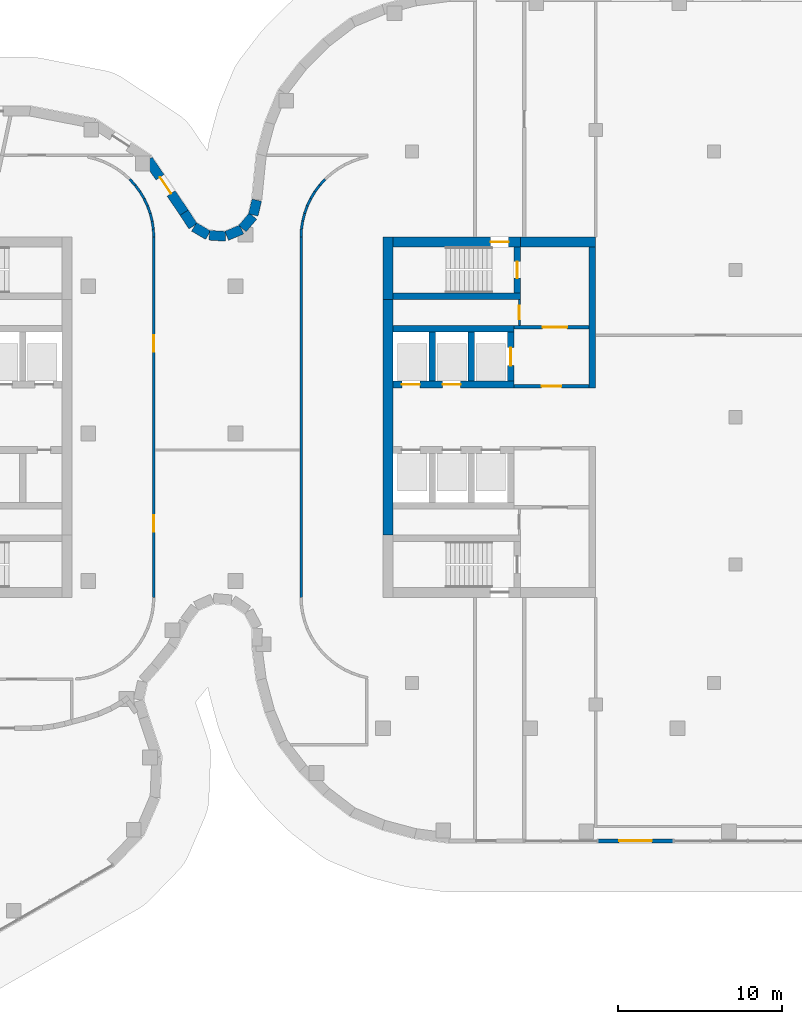
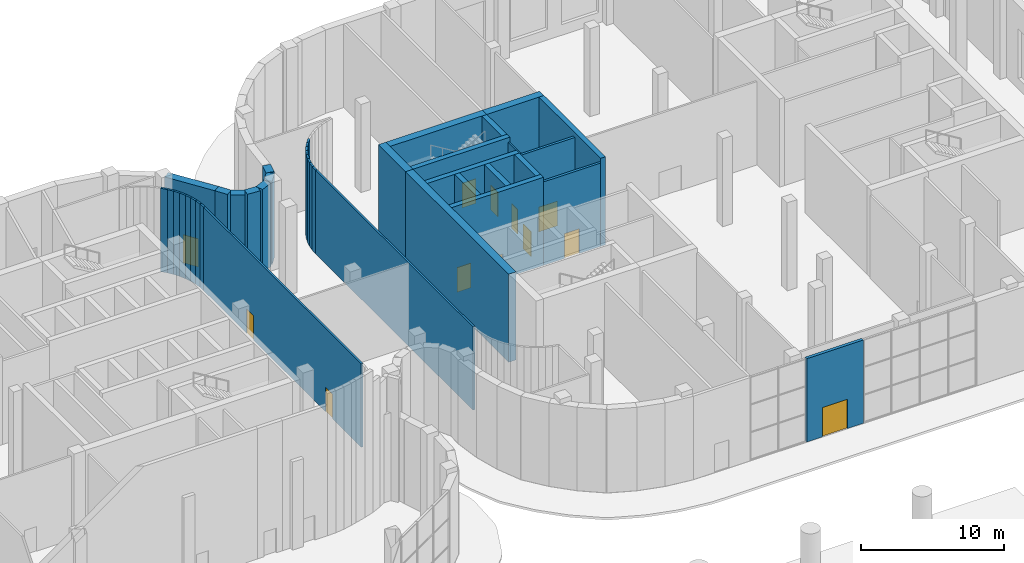
# One storey, part 20 of 30: 41 walls, 12 doors, 12 openings.
"""IFC4 building model written with IfcOpenShell, lengths in metres."""

from ifc_helpers import new_model, si_unit, direction, frame, frame_2d, origin, place, context, subcontext, project, spatial, rectangle, extrude, material, layer, layer_set, type_object, element, fill, save


model = new_model("IFC4")

# Units and contexts
model_context = context("Model", 3, precision=1e-05, world=origin(), true_north=direction((0.0, 1.0)))
body_context = subcontext(model_context, "Body", "Model", "MODEL_VIEW")
ifc_project = project(units=[si_unit("LENGTHUNIT", "METRE"), si_unit("AREAUNIT", "SQUARE_METRE"), si_unit("VOLUMEUNIT", "CUBIC_METRE"), si_unit("PLANEANGLEUNIT", "RADIAN"), si_unit("MASSUNIT", "GRAM", prefix="KILO")], contexts=[model_context])

# Site, building, storey
site_placement = place(None, origin())
site = spatial("IfcSite", under=ifc_project, at=site_placement, CompositionType="ELEMENT")
building_placement = place(site_placement, origin())
building = spatial("IfcBuilding", under=site, at=building_placement, Name="Skarvind Civic Tower", CompositionType="ELEMENT")
storey_placement = place(building_placement, origin())
storey = spatial("IfcBuildingStorey", under=building, at=storey_placement, Name="L00", CompositionType="ELEMENT", Elevation=0.0)

# Wall, opening, door
ifc_material_1 = material(Name="Fire-rated masonry partition", Category="masonry")
ifc_layer_1 = layer(ifc_material_1, 0.199951171875)
ifc_layer_set_1 = layer_set([ifc_layer_1], Name="Core enclosure wall 200")
wall_type_1 = type_object("IfcWallType", Name="Core enclosure wall 200", PredefinedType="PARTITIONING", material=ifc_layer_set_1)
wall_1_placement = place(storey_placement, frame((135.0, 129.89990234375, 0.0), z_axis=(0.0, 0.0, 1.0), x_axis=(1.0, 0.0, 0.0)))
wall_1 = element("IfcWall", 1, at=wall_1_placement, inside=storey, type_object=wall_type_1, Name="Core wall CA", PredefinedType="PARTITIONING", context=body_context, shape_type="SweptSolid", body=[
    extrude(rectangle(XDim=4.60009765625, YDim=0.199951171875, at=frame_2d((2.300048828125, 0.0))), origin(), (0.0, 0.0, 1.0), 7.10009765625),
])
opening_1_placement = place(wall_1_placement, frame((1.699951171875, 0.0, 0.0)))
opening_1 = element("IfcOpeningElement", 2, at=opening_1_placement, cuts=wall_1, Name="Opening D-L00-CA-06", PredefinedType="OPENING", context=body_context, shape_type="SweptSolid", body=[
    extrude(rectangle(XDim=1.199951171875, YDim=2.10009765625, at=frame_2d((0.60009765625, 1.050048828125))), frame((0.0, 0.10986328125, 0.0), z_axis=(0.0, -1.0, 0.0), x_axis=(1.0, 0.0, 0.0)), (0.0, 0.0, 1.0), 0.219970703125),
])
ifc_material_2 = material(Name="Fire-rated steel door", Category="steel")
door_type_1 = type_object("IfcDoorType", Name="Core lobby door 1200", OperationType="NOTDEFINED", PredefinedType="DOOR", material=ifc_material_2)
door_1_placement = place(opening_1_placement, origin())
door_1 = element("IfcDoor", 3, at=door_1_placement, inside=storey, type_object=door_type_1, Name="Fire door", OperationType="DOUBLE_DOOR_SINGLE_SWING", OverallHeight=2.10009765625, OverallWidth=1.199951171875, PredefinedType="DOOR", context=body_context, shape_type="SweptSolid", body=[
    extrude(rectangle(XDim=1.199951171875, YDim=2.10009765625, at=frame_2d((0.60009765625, 1.050048828125))), frame((0.0, 0.02490234375, 0.0), z_axis=(0.0, -1.0, 0.0), x_axis=(1.0, 0.0, 0.0)), (0.0, 0.0, 1.0), 0.050048828125),
])
fill(opening_1, door_1)

wall_2_placement = place(storey_placement, frame((135.0, 133.5, 0.0), z_axis=(0.0, 0.0, 1.0), x_axis=(1.0, 0.0, 0.0)))
wall_2 = element("IfcWall", 4, at=wall_2_placement, inside=storey, type_object=wall_type_1, Name="Core wall CA", PredefinedType="PARTITIONING", context=body_context, shape_type="SweptSolid", body=[
    extrude(rectangle(XDim=4.60009765625, YDim=0.199951171875, at=frame_2d((2.300048828125, 0.0))), origin(), (0.0, 0.0, 1.0), 7.10009765625),
])
opening_2_placement = place(wall_2_placement, frame((1.75, 0.0, 0.0)))
opening_2 = element("IfcOpeningElement", 5, at=opening_2_placement, cuts=wall_2, Name="Opening D-L00-CA-07", PredefinedType="OPENING", context=body_context, shape_type="SweptSolid", body=[
    extrude(rectangle(XDim=1.5, YDim=2.10009765625, at=frame_2d((0.75, 1.050048828125))), frame((0.0, 0.10986328125, 0.0), z_axis=(0.0, -1.0, 0.0), x_axis=(1.0, 0.0, 0.0)), (0.0, 0.0, 1.0), 0.219970703125),
])
door_type_2 = type_object("IfcDoorType", Name="Fire door 1500", OperationType="NOTDEFINED", PredefinedType="DOOR", material=ifc_material_2)
door_2_placement = place(opening_2_placement, origin())
door_2 = element("IfcDoor", 6, at=door_2_placement, inside=storey, type_object=door_type_2, Name="Fire door", OperationType="DOUBLE_DOOR_SINGLE_SWING", OverallHeight=2.10009765625, OverallWidth=1.5, PredefinedType="DOOR", context=body_context, shape_type="SweptSolid", body=[
    extrude(rectangle(XDim=1.5, YDim=2.10009765625, at=frame_2d((0.75, 1.050048828125))), frame((0.0, 0.02490234375, 0.0), z_axis=(0.0, -1.0, 0.0), x_axis=(1.0, 0.0, 0.0)), (0.0, 0.0, 1.0), 0.050048828125),
])
fill(opening_2, door_2)

# Wall
ifc_material_3 = material(Name="Concrete C80", Category="concrete")
ifc_layer_2 = layer(ifc_material_3, 0.39990234375)
ifc_layer_set_2 = layer_set([ifc_layer_2], Name="Core wall 400 C80")
wall_type_2 = type_object("IfcWallType", Name="Core wall 400 C80", PredefinedType="SHEAR", material=ifc_layer_set_2)
wall_3_placement = place(storey_placement, frame((127.60009765625, 135.39990234375, 0.0), z_axis=(0.0, 0.0, 1.0), x_axis=(1.0, 0.0, 0.0)))
element("IfcWall", 7, at=wall_3_placement, inside=storey, type_object=wall_type_2, Name="Core wall CA north stair inner L00", PredefinedType="SHEAR", context=body_context, shape_type="SweptSolid", body=[
    extrude(rectangle(XDim=7.7998046875, YDim=0.39990234375, at=frame_2d((3.89990234375, 0.0))), origin(), (0.0, 0.0, 1.0), 7.5),
])

# Wall, opening, door
wall_4_placement = place(storey_placement, frame((135.199951171875, 135.60009765625, 0.0), z_axis=(0.0, 0.0, 1.0), x_axis=(0.0, 1.0, 0.0)))
wall_4 = element("IfcWall", 8, at=wall_4_placement, inside=storey, type_object=wall_type_2, Name="Core wall CA north stair end L00", PredefinedType="SHEAR", context=body_context, shape_type="SweptSolid", body=[
    extrude(rectangle(XDim=2.7998046875, YDim=0.39990234375, at=frame_2d((1.39990234375, 0.0))), origin(), (0.0, 0.0, 1.0), 7.5),
])
opening_3_placement = place(wall_4_placement, frame((0.89990234375, 0.0, 0.0)))
opening_3 = element("IfcOpeningElement", 9, at=opening_3_placement, cuts=wall_4, Name="Opening D-L00-CA-08", PredefinedType="OPENING", context=body_context, shape_type="SweptSolid", body=[
    extrude(rectangle(XDim=1.0, YDim=2.10009765625, at=frame_2d((0.5, 1.050048828125))), frame((0.0, 0.2099609375, 0.0), z_axis=(0.0, -1.0, 0.0), x_axis=(1.0, 0.0, 0.0)), (0.0, 0.0, 1.0), 0.419921875),
])
door_type_3 = type_object("IfcDoorType", Name="Fire door 1000", OperationType="NOTDEFINED", PredefinedType="DOOR", material=ifc_material_2)
door_3_placement = place(opening_3_placement, origin())
door_3 = element("IfcDoor", 10, at=door_3_placement, inside=storey, type_object=door_type_3, Name="Fire door", OperationType="SINGLE_SWING_LEFT", OverallHeight=2.10009765625, OverallWidth=1.0, PredefinedType="DOOR", context=body_context, shape_type="SweptSolid", body=[
    extrude(rectangle(XDim=1.0, YDim=2.10009765625, at=frame_2d((0.5, 1.050048828125))), frame((0.0, 0.02490234375, 0.0), z_axis=(0.0, -1.0, 0.0), x_axis=(1.0, 0.0, 0.0)), (0.0, 0.0, 1.0), 0.050048828125),
])
fill(opening_3, door_3)

# Wall, openings, doors
wall_5_placement = place(storey_placement, frame((127.60009765625, 130.0, 0.0), z_axis=(0.0, 0.0, 1.0), x_axis=(1.0, 0.0, 0.0)))
wall_5 = element("IfcWall", 11, at=wall_5_placement, inside=storey, type_object=wall_type_2, Name="Core wall CA north lift row front L00", PredefinedType="SHEAR", context=body_context, shape_type="SweptSolid", body=[
    extrude(rectangle(XDim=7.39990234375, YDim=0.39990234375, at=frame_2d((3.699951171875, 0.0))), origin(), (0.0, 0.0, 1.0), 7.5),
])
opening_4_placement = place(wall_5_placement, frame((0.550048828125, 0.0, 0.0)))
opening_4 = element("IfcOpeningElement", 12, at=opening_4_placement, cuts=wall_5, Name="Opening LD02301", PredefinedType="OPENING", context=body_context, shape_type="SweptSolid", body=[
    extrude(rectangle(XDim=1.10009765625, YDim=2.10009765625, at=frame_2d((0.550048828125, 1.050048828125))), frame((0.0, 0.2099609375, 0.0), z_axis=(0.0, -1.0, 0.0), x_axis=(1.0, 0.0, 0.0)), (0.0, 0.0, 1.0), 0.419921875),
])
opening_5_placement = place(wall_5_placement, frame((3.050048828125, 0.0, 0.0)))
opening_5 = element("IfcOpeningElement", 13, at=opening_5_placement, cuts=wall_5, Name="Opening LD02302", PredefinedType="OPENING", context=body_context, shape_type="SweptSolid", body=[
    extrude(rectangle(XDim=1.10009765625, YDim=2.10009765625, at=frame_2d((0.550048828125, 1.050048828125))), frame((0.0, 0.2099609375, 0.0), z_axis=(0.0, -1.0, 0.0), x_axis=(1.0, 0.0, 0.0)), (0.0, 0.0, 1.0), 0.419921875),
])
ifc_material_4 = material(Name="Stainless steel landing door", Category="steel")
door_type_4 = type_object("IfcDoorType", Name="Lift landing door 1100", OperationType="DOUBLE_DOOR_SLIDING", PredefinedType="DOOR", material=ifc_material_4)
door_4_placement = place(opening_4_placement, origin())
door_4 = element("IfcDoor", 14, at=door_4_placement, inside=storey, type_object=door_type_4, Name="Lift landing door", OperationType="DOUBLE_DOOR_SLIDING", OverallHeight=2.10009765625, OverallWidth=1.10009765625, PredefinedType="DOOR", context=body_context, shape_type="SweptSolid", body=[
    extrude(rectangle(XDim=1.10009765625, YDim=2.10009765625, at=frame_2d((0.550048828125, 1.050048828125))), frame((0.0, 0.02490234375, 0.0), z_axis=(0.0, -1.0, 0.0), x_axis=(1.0, 0.0, 0.0)), (0.0, 0.0, 1.0), 0.050048828125),
])
fill(opening_4, door_4)
door_5_placement = place(opening_5_placement, origin())
door_5 = element("IfcDoor", 15, at=door_5_placement, inside=storey, type_object=door_type_4, Name="Lift landing door", OperationType="DOUBLE_DOOR_SLIDING", OverallHeight=2.10009765625, OverallWidth=1.10009765625, PredefinedType="DOOR", context=body_context, shape_type="SweptSolid", body=[
    extrude(rectangle(XDim=1.10009765625, YDim=2.10009765625, at=frame_2d((0.550048828125, 1.050048828125))), frame((0.0, 0.02490234375, 0.0), z_axis=(0.0, -1.0, 0.0), x_axis=(1.0, 0.0, 0.0)), (0.0, 0.0, 1.0), 0.050048828125),
])
fill(opening_5, door_5)

# Walls
wall_6_placement = place(storey_placement, frame((127.60009765625, 133.39990234375, 0.0), z_axis=(0.0, 0.0, 1.0), x_axis=(1.0, 0.0, 0.0)))
element("IfcWall", 16, at=wall_6_placement, inside=storey, type_object=wall_type_2, Name="Core wall CA north lift row back L00", PredefinedType="SHEAR", context=body_context, shape_type="SweptSolid", body=[
    extrude(rectangle(XDim=7.39990234375, YDim=0.39990234375, at=frame_2d((3.699951171875, 0.0))), origin(), (0.0, 0.0, 1.0), 7.5),
])
for number, where, z_axis, x_axis, name in (
    (17, (130.0, 130.199951171875, 0.0), (0.0, 0.0, 1.0), (0.0, 1.0, 0.0), "Core wall CA north lift row division 1 L00"),
    (18, (132.39990234375, 130.199951171875, 0.0), (0.0, 0.0, 1.0), (0.0, 1.0, 0.0), "Core wall CA north lift row division 2 L00"),
):
    element("IfcWall", number, at=place(storey_placement, frame(where, z_axis=z_axis, x_axis=x_axis)), inside=storey, type_object=wall_type_2, Name=name, PredefinedType="SHEAR", context=body_context, shape_type="SweptSolid", body=[
        extrude(rectangle(XDim=3.0, YDim=0.39990234375, at=frame_2d((1.5, 0.0))), origin(), (0.0, 0.0, 1.0), 7.5),
    ])

# Wall, opening, door
wall_7_placement = place(storey_placement, frame((134.800048828125, 130.199951171875, 0.0), z_axis=(0.0, 0.0, 1.0), x_axis=(0.0, 1.0, 0.0)))
wall_7 = element("IfcWall", 19, at=wall_7_placement, inside=storey, type_object=wall_type_2, Name="Core wall CA north lift row division 3 L00", PredefinedType="SHEAR", context=body_context, shape_type="SweptSolid", body=[
    extrude(rectangle(XDim=3.0, YDim=0.39990234375, at=frame_2d((1.5, 0.0))), origin(), (0.0, 0.0, 1.0), 7.5),
])
opening_6_placement = place(wall_7_placement, frame((0.949951171875, 0.0, 0.0)))
opening_6 = element("IfcOpeningElement", 20, at=opening_6_placement, cuts=wall_7, Name="Opening LD02303", PredefinedType="OPENING", context=body_context, shape_type="SweptSolid", body=[
    extrude(rectangle(XDim=1.10009765625, YDim=2.10009765625, at=frame_2d((0.550048828125, 1.050048828125))), frame((0.0, 0.2099609375, 0.0), z_axis=(0.0, -1.0, 0.0), x_axis=(1.0, 0.0, 0.0)), (0.0, 0.0, 1.0), 0.419921875),
])
door_6_placement = place(opening_6_placement, origin())
door_6 = element("IfcDoor", 21, at=door_6_placement, inside=storey, type_object=door_type_4, Name="Lift landing door", OperationType="DOUBLE_DOOR_SLIDING", OverallHeight=2.10009765625, OverallWidth=1.10009765625, PredefinedType="DOOR", context=body_context, shape_type="SweptSolid", body=[
    extrude(rectangle(XDim=1.10009765625, YDim=2.10009765625, at=frame_2d((0.550048828125, 1.050048828125))), frame((0.0, 0.02490234375, 0.0), z_axis=(0.0, -1.0, 0.0), x_axis=(1.0, 0.0, 0.0)), (0.0, 0.0, 1.0), 0.050048828125),
])
fill(opening_6, door_6)

# Walls
wall_8_placement = place(storey_placement, frame((139.800048828125, 129.800048828125, 0.0), z_axis=(0.0, 0.0, 1.0), x_axis=(0.0, 1.0, 0.0)))
element("IfcWall", 22, at=wall_8_placement, inside=storey, type_object=wall_type_2, Name="Core wall CA north inner face L00", PredefinedType="SHEAR", context=body_context, shape_type="SweptSolid", body=[
    extrude(rectangle(XDim=8.599853515625, YDim=0.39990234375, at=frame_2d((4.2998046875, 0.0))), origin(), (0.0, 0.0, 1.0), 7.5),
])
ifc_layer_3 = layer(ifc_material_3, 0.60009765625)
ifc_layer_set_3 = layer_set([ifc_layer_3], Name="Core wall 600 C80")
wall_type_3 = type_object("IfcWallType", Name="Core wall 600 C80", PredefinedType="SHEAR", material=ifc_layer_set_3)
wall_9_placement = place(storey_placement, frame((127.300048828125, 120.800048828125, 0.0), z_axis=(0.0, 0.0, 1.0), x_axis=(0.0, 1.0, 0.0)))
element("IfcWall", 23, at=wall_9_placement, inside=storey, type_object=wall_type_3, Name="Core wall CA tip between the stairs L00", PredefinedType="SHEAR", context=body_context, shape_type="SweptSolid", body=[
    extrude(rectangle(XDim=14.39990234375, YDim=0.60009765625, at=frame_2d((7.199951171875, 0.0))), origin(), (0.0, 0.0, 1.0), 7.5),
])
wall_10_placement = place(storey_placement, frame((127.300048828125, 135.199951171875, 0.0), z_axis=(0.0, 0.0, 1.0), x_axis=(0.0, 1.0, 0.0)))
element("IfcWall", 24, at=wall_10_placement, inside=storey, type_object=wall_type_3, Name="Core wall CA tip at the north stair L00", PredefinedType="SHEAR", context=body_context, shape_type="SweptSolid", body=[
    extrude(rectangle(XDim=3.800048828125, YDim=0.60009765625, at=frame_2d((1.89990234375, 0.0))), origin(), (0.0, 0.0, 1.0), 7.5),
])

# Wall, opening, door
wall_11_placement = place(storey_placement, frame((127.60009765625, 138.699951171875, 0.0), z_axis=(0.0, 0.0, 1.0), x_axis=(1.0, 0.0, 0.0)))
wall_11 = element("IfcWall", 25, at=wall_11_placement, inside=storey, type_object=wall_type_3, Name="Core wall CA north side at the stair L00", PredefinedType="SHEAR", context=body_context, shape_type="SweptSolid", body=[
    extrude(rectangle(XDim=7.7998046875, YDim=0.60009765625, at=frame_2d((3.89990234375, 0.0))), origin(), (0.0, 0.0, 1.0), 7.5),
])
opening_7_placement = place(wall_11_placement, frame((5.97509765625, 0.0, 0.0)))
opening_7 = element("IfcOpeningElement", 26, at=opening_7_placement, cuts=wall_11, Name="Opening D-L00-CA-16", PredefinedType="OPENING", context=body_context, shape_type="SweptSolid", body=[
    extrude(rectangle(XDim=1.10009765625, YDim=2.10009765625, at=frame_2d((0.550048828125, 1.050048828125))), frame((0.0, 0.31005859375, 0.0), z_axis=(0.0, -1.0, 0.0), x_axis=(1.0, 0.0, 0.0)), (0.0, 0.0, 1.0), 0.6201171875),
])
door_type_5 = type_object("IfcDoorType", Name="Fire door 1100", OperationType="NOTDEFINED", PredefinedType="DOOR", material=ifc_material_2)
door_7_placement = place(opening_7_placement, origin())
door_7 = element("IfcDoor", 27, at=door_7_placement, inside=storey, type_object=door_type_5, Name="Stair exit door", OperationType="SINGLE_SWING_LEFT", OverallHeight=2.10009765625, OverallWidth=1.10009765625, PredefinedType="DOOR", context=body_context, shape_type="SweptSolid", body=[
    extrude(rectangle(XDim=1.10009765625, YDim=2.10009765625, at=frame_2d((0.550048828125, 1.050048828125))), frame((0.0, 0.02490234375, 0.0), z_axis=(0.0, -1.0, 0.0), x_axis=(1.0, 0.0, 0.0)), (0.0, 0.0, 1.0), 0.050048828125),
])
fill(opening_7, door_7)

# Walls
wall_12_placement = place(storey_placement, frame((135.39990234375, 138.699951171875, 0.0), z_axis=(0.0, 0.0, 1.0), x_axis=(1.0, 0.0, 0.0)))
element("IfcWall", 28, at=wall_12_placement, inside=storey, type_object=wall_type_3, Name="Core wall CA north side L00", PredefinedType="SHEAR", context=body_context, shape_type="SweptSolid", body=[
    extrude(rectangle(XDim=4.60009765625, YDim=0.60009765625, at=frame_2d((2.300048828125, 0.0))), origin(), (0.0, 0.0, 1.0), 7.5),
])
ifc_material_5 = material(Name="Plasterboard partition on steel studs", Category="steel")
ifc_layer_4 = layer(ifc_material_5, 0.14990234375)
ifc_layer_set_4 = layer_set([ifc_layer_4], Name="PARTITION 150")
wall_type_4 = type_object("IfcWallType", Name="PARTITION 150", PredefinedType="PARTITIONING", material=ifc_layer_set_4)
wall_13_placement = place(storey_placement, frame((111.532958984375, 142.5390625, 0.0), z_axis=(0.0, 0.0, 1.0), x_axis=(0.66993818776, -0.742416880587, 0.0)))
element("IfcWall", 29, at=wall_13_placement, inside=storey, type_object=wall_type_4, Name="Podium partition L00 153", PredefinedType="PARTITIONING", context=body_context, shape_type="SweptSolid", body=[
    extrude(rectangle(XDim=0.49853515625, YDim=0.14990234375, at=frame_2d((0.249267578125, 0.0))), origin(), (0.0, 0.0, 1.0), 7.10009765625),
])
wall_14_placement = place(storey_placement, frame((111.863037109375, 142.175048828125, 0.0), z_axis=(0.0, 0.0, 1.0), x_axis=(0.594570362092, -0.80404358372, 0.0)))
element("IfcWall", 30, at=wall_14_placement, inside=storey, type_object=wall_type_4, Name="Podium partition L00 155", PredefinedType="PARTITIONING", context=body_context, shape_type="SweptSolid", body=[
    extrude(rectangle(XDim=0.49755859375, YDim=0.14990234375, at=frame_2d((0.248779296875, 0.0))), origin(), (0.0, 0.0, 1.0), 7.10009765625),
])
wall_15_placement = place(storey_placement, frame((112.155029296875, 141.781005859375, 0.0), z_axis=(0.0, 0.0, 1.0), x_axis=(0.515791778052, -0.85671397893, 0.0)))
element("IfcWall", 31, at=wall_15_placement, inside=storey, type_object=wall_type_4, Name="Podium partition L00 157", PredefinedType="PARTITIONING", context=body_context, shape_type="SweptSolid", body=[
    extrude(rectangle(XDim=0.49853515625, YDim=0.14990234375, at=frame_2d((0.249267578125, 0.0))), origin(), (0.0, 0.0, 1.0), 7.10009765625),
])
for number, where, z_axis, x_axis, name in (
    (32, (112.407958984375, 141.360107421875, 0.0), (0.0, 0.0, 1.0), (0.427896709028, -0.903827641978, 0.0), "Podium partition L00 159"),
    (33, (112.617919921875, 140.916015625, 0.0), (0.0, 0.0, 1.0), (0.3371744988, -0.941442168887, 0.0), "Podium partition L00 161"),
):
    element("IfcWall", number, at=place(storey_placement, frame(where, z_axis=z_axis, x_axis=x_axis)), inside=storey, type_object=wall_type_4, Name=name, PredefinedType="PARTITIONING", context=body_context, shape_type="SweptSolid", body=[
        extrude(rectangle(XDim=0.498046875, YDim=0.14990234375, at=frame_2d((0.2490234375, 0.0))), origin(), (0.0, 0.0, 1.0), 7.10009765625),
    ])
wall_16_placement = place(storey_placement, frame((112.783935546875, 140.455078125, 0.0), z_axis=(0.0, 0.0, 1.0), x_axis=(0.242650732785, -0.970113715952, 0.0)))
element("IfcWall", 34, at=wall_16_placement, inside=storey, type_object=wall_type_4, Name="Podium partition L00 163", PredefinedType="PARTITIONING", context=body_context, shape_type="SweptSolid", body=[
    extrude(rectangle(XDim=0.4990234375, YDim=0.14990234375, at=frame_2d((0.24951171875, 0.0))), origin(), (0.0, 0.0, 1.0), 7.10009765625),
])
wall_17_placement = place(storey_placement, frame((112.903076171875, 139.97900390625, 0.0), z_axis=(0.0, 0.0, 1.0), x_axis=(0.148412307247, -0.988925572052, 0.0)))
element("IfcWall", 35, at=wall_17_placement, inside=storey, type_object=wall_type_4, Name="Podium partition L00 165", PredefinedType="PARTITIONING", context=body_context, shape_type="SweptSolid", body=[
    extrude(rectangle(XDim=0.49853515625, YDim=0.14990234375, at=frame_2d((0.249267578125, 0.0))), origin(), (0.0, 0.0, 1.0), 7.10009765625),
])
wall_18_placement = place(storey_placement, frame((112.97607421875, 139.493896484375, 0.0), z_axis=(0.0, 0.0, 1.0), x_axis=(0.048196018647, -0.998837896651, 0.0)))
element("IfcWall", 36, at=wall_18_placement, inside=storey, type_object=wall_type_4, Name="Podium partition L00 167", PredefinedType="PARTITIONING", context=body_context, shape_type="SweptSolid", body=[
    extrude(rectangle(XDim=0.496337890625, YDim=0.14990234375, at=frame_2d((0.248046875, 0.0))), origin(), (0.0, 0.0, 1.0), 7.10009765625),
])

# Wall, openings, doors
wall_19_placement = place(storey_placement, frame((113.0, 139.001953125, 0.0), z_axis=(0.0, 0.0, 1.0), x_axis=(0.0, -1.0, 0.0)))
wall_19 = element("IfcWall", 37, at=wall_19_placement, inside=storey, type_object=wall_type_4, Name="Podium partition L00 168", PredefinedType="PARTITIONING", context=body_context, shape_type="SweptSolid", body=[
    extrude(rectangle(XDim=22.00390625, YDim=0.14990234375, at=frame_2d((11.001953125, 0.0))), origin(), (0.0, 0.0, 1.0), 7.10009765625),
])
opening_8_placement = place(wall_19_placement, frame((17.0, 0.0, 0.0)))
opening_8 = element("IfcOpeningElement", 38, at=opening_8_placement, cuts=wall_19, Name="Opening L00-D231", PredefinedType="OPENING", context=body_context, shape_type="SweptSolid", body=[
    extrude(rectangle(XDim=1.0, YDim=2.10009765625, at=frame_2d((0.5, 1.050048828125))), frame((0.0, 0.0849609375, 0.0), z_axis=(0.0, -1.0, 0.0), x_axis=(1.0, 0.0, 0.0)), (0.0, 0.0, 1.0), 0.169921875),
])
opening_9_placement = place(wall_19_placement, frame((6.00390625, 0.0, 0.0)))
opening_9 = element("IfcOpeningElement", 39, at=opening_9_placement, cuts=wall_19, Name="Opening L00-D232", PredefinedType="OPENING", context=body_context, shape_type="SweptSolid", body=[
    extrude(rectangle(XDim=1.0, YDim=2.10009765625, at=frame_2d((0.5, 1.050048828125))), frame((0.0, 0.0849609375, 0.0), z_axis=(0.0, -1.0, 0.0), x_axis=(1.0, 0.0, 0.0)), (0.0, 0.0, 1.0), 0.169921875),
])
ifc_material_6 = material(Name="Timber veneer door leaf", Category="wood")
door_type_6 = type_object("IfcDoorType", Name="DOOR 1000X2100 TIMBER", OperationType="NOTDEFINED", PredefinedType="DOOR", material=ifc_material_6)
door_8_placement = place(opening_8_placement, origin())
door_8 = element("IfcDoor", 40, at=door_8_placement, inside=storey, type_object=door_type_6, Name="DOOR DOOR", OperationType="SINGLE_SWING_LEFT", OverallHeight=2.10009765625, OverallWidth=1.0, PredefinedType="DOOR", context=body_context, shape_type="SweptSolid", body=[
    extrude(rectangle(XDim=1.0, YDim=2.10009765625, at=frame_2d((0.5, 1.050048828125))), frame((0.0, 0.02490234375, 0.0), z_axis=(0.0, -1.0, 0.0), x_axis=(1.0, 0.0, 0.0)), (0.0, 0.0, 1.0), 0.050048828125),
])
fill(opening_8, door_8)
door_9_placement = place(opening_9_placement, origin())
door_9 = element("IfcDoor", 41, at=door_9_placement, inside=storey, type_object=door_type_6, Name="DOOR DOOR", OperationType="SINGLE_SWING_RIGHT", OverallHeight=2.10009765625, OverallWidth=1.0, PredefinedType="DOOR", context=body_context, shape_type="SweptSolid", body=[
    extrude(rectangle(XDim=1.0, YDim=2.10009765625, at=frame_2d((0.5, 1.050048828125))), frame((0.0, 0.02490234375, 0.0), z_axis=(0.0, -1.0, 0.0), x_axis=(1.0, 0.0, 0.0)), (0.0, 0.0, 1.0), 0.050048828125),
])
fill(opening_9, door_9)

# Walls
wall_20_placement = place(storey_placement, frame((122.0, 116.998046875, 0.0), z_axis=(0.0, 0.0, 1.0), x_axis=(0.0, 1.0, 0.0)))
element("IfcWall", 42, at=wall_20_placement, inside=storey, type_object=wall_type_4, Name="Podium partition L00 172", PredefinedType="PARTITIONING", context=body_context, shape_type="SweptSolid", body=[
    extrude(rectangle(XDim=22.00390625, YDim=0.14990234375, at=frame_2d((11.001953125, 0.0))), origin(), (0.0, 0.0, 1.0), 7.10009765625),
])
wall_21_placement = place(storey_placement, frame((122.0, 138.998046875, 0.0), z_axis=(0.0, 0.0, 1.0), x_axis=(0.048196018647, 0.998837896651, 0.0)))
element("IfcWall", 43, at=wall_21_placement, inside=storey, type_object=wall_type_4, Name="Podium partition L00 174", PredefinedType="PARTITIONING", context=body_context, shape_type="SweptSolid", body=[
    extrude(rectangle(XDim=0.496337890625, YDim=0.14990234375, at=frame_2d((0.248046875, 0.0))), origin(), (0.0, 0.0, 1.0), 7.10009765625),
])
wall_22_placement = place(storey_placement, frame((122.02294921875, 139.486083984375, 0.0), z_axis=(0.0, 0.0, 1.0), x_axis=(0.148412307247, 0.988925572052, 0.0)))
element("IfcWall", 44, at=wall_22_placement, inside=storey, type_object=wall_type_4, Name="Podium partition L00 176", PredefinedType="PARTITIONING", context=body_context, shape_type="SweptSolid", body=[
    extrude(rectangle(XDim=0.49853515625, YDim=0.14990234375, at=frame_2d((0.249267578125, 0.0))), origin(), (0.0, 0.0, 1.0), 7.10009765625),
])
wall_23_placement = place(storey_placement, frame((122.094970703125, 139.970947265625, 0.0), z_axis=(0.0, 0.0, 1.0), x_axis=(0.242650732785, 0.970113715952, 0.0)))
element("IfcWall", 45, at=wall_23_placement, inside=storey, type_object=wall_type_4, Name="Podium partition L00 178", PredefinedType="PARTITIONING", context=body_context, shape_type="SweptSolid", body=[
    extrude(rectangle(XDim=0.4990234375, YDim=0.14990234375, at=frame_2d((0.24951171875, 0.0))), origin(), (0.0, 0.0, 1.0), 7.10009765625),
])
for number, where, z_axis, x_axis, name in (
    (46, (122.214111328125, 140.447021484375, 0.0), (0.0, 0.0, 1.0), (0.3371744988, 0.941442168887, 0.0), "Podium partition L00 180"),
    (47, (122.37890625, 140.909912109375, 0.0), (0.0, 0.0, 1.0), (0.427896709028, 0.903827641978, 0.0), "Podium partition L00 182"),
):
    element("IfcWall", number, at=place(storey_placement, frame(where, z_axis=z_axis, x_axis=x_axis)), inside=storey, type_object=wall_type_4, Name=name, PredefinedType="PARTITIONING", context=body_context, shape_type="SweptSolid", body=[
        extrude(rectangle(XDim=0.498046875, YDim=0.14990234375, at=frame_2d((0.2490234375, 0.0))), origin(), (0.0, 0.0, 1.0), 7.10009765625),
    ])
wall_24_placement = place(storey_placement, frame((122.587890625, 141.35400390625, 0.0), z_axis=(0.0, 0.0, 1.0), x_axis=(0.515791778052, 0.85671397893, 0.0)))
element("IfcWall", 48, at=wall_24_placement, inside=storey, type_object=wall_type_4, Name="Podium partition L00 184", PredefinedType="PARTITIONING", context=body_context, shape_type="SweptSolid", body=[
    extrude(rectangle(XDim=0.49853515625, YDim=0.14990234375, at=frame_2d((0.249267578125, 0.0))), origin(), (0.0, 0.0, 1.0), 7.10009765625),
])
wall_25_placement = place(storey_placement, frame((122.841064453125, 141.77490234375, 0.0), z_axis=(0.0, 0.0, 1.0), x_axis=(0.594570362092, 0.80404358372, 0.0)))
element("IfcWall", 49, at=wall_25_placement, inside=storey, type_object=wall_type_4, Name="Podium partition L00 186", PredefinedType="PARTITIONING", context=body_context, shape_type="SweptSolid", body=[
    extrude(rectangle(XDim=0.49755859375, YDim=0.14990234375, at=frame_2d((0.248779296875, 0.0))), origin(), (0.0, 0.0, 1.0), 7.10009765625),
])
wall_26_placement = place(storey_placement, frame((123.133056640625, 142.1689453125, 0.0), z_axis=(0.0, 0.0, 1.0), x_axis=(0.66993818776, 0.742416880587, 0.0)))
element("IfcWall", 50, at=wall_26_placement, inside=storey, type_object=wall_type_4, Name="Podium partition L00 188", PredefinedType="PARTITIONING", context=body_context, shape_type="SweptSolid", body=[
    extrude(rectangle(XDim=0.49853515625, YDim=0.14990234375, at=frame_2d((0.249267578125, 0.0))), origin(), (0.0, 0.0, 1.0), 7.10009765625),
])

# Wall, opening, door
ifc_layer_5 = layer(ifc_material_1, 0.125)
ifc_layer_set_5 = layer_set([ifc_layer_5], Name="Riser wall 125")
wall_type_5 = type_object("IfcWallType", Name="Riser wall 125", PredefinedType="PARTITIONING", material=ifc_layer_set_5)
wall_27_placement = place(storey_placement, frame((135.33740234375, 135.199951171875, 0.0), z_axis=(0.0, 0.0, 1.0), x_axis=(0.0, -1.0, 0.0)))
wall_27 = element("IfcWall", 51, at=wall_27_placement, inside=storey, type_object=wall_type_5, Name="Core wall CA", PredefinedType="PARTITIONING", context=body_context, shape_type="SweptSolid", body=[
    extrude(rectangle(XDim=1.599853515625, YDim=0.125, at=frame_2d((0.7998046875, 0.0))), origin(), (0.0, 0.0, 1.0), 7.10009765625),
])
opening_10_placement = place(wall_27_placement, frame((0.39990234375, 0.0, 0.0)))
opening_10 = element("IfcOpeningElement", 52, at=opening_10_placement, cuts=wall_27, Name="Opening D-L00-CA-09", PredefinedType="OPENING", context=body_context, shape_type="SweptSolid", body=[
    extrude(rectangle(XDim=0.800048828125, YDim=2.10009765625, at=frame_2d((0.39990234375, 1.050048828125))), frame((0.0, 0.072509765625, 0.0), z_axis=(0.0, -1.0, 0.0), x_axis=(1.0, 0.0, 0.0)), (0.0, 0.0, 1.0), 0.14501953125),
])
door_type_7 = type_object("IfcDoorType", Name="Core riser door 800", OperationType="NOTDEFINED", PredefinedType="DOOR", material=ifc_material_2)
door_10_placement = place(opening_10_placement, origin())
door_10 = element("IfcDoor", 53, at=door_10_placement, inside=storey, type_object=door_type_7, Name="Riser door", OperationType="SINGLE_SWING_RIGHT", OverallHeight=2.10009765625, OverallWidth=0.800048828125, PredefinedType="DOOR", context=body_context, shape_type="SweptSolid", body=[
    extrude(rectangle(XDim=0.800048828125, YDim=2.10009765625, at=frame_2d((0.39990234375, 1.050048828125))), frame((0.0, 0.02490234375, 0.0), z_axis=(0.0, -1.0, 0.0), x_axis=(1.0, 0.0, 0.0)), (0.0, 0.0, 1.0), 0.050048828125),
])
fill(opening_10, door_10)

# Walls
ifc_material_7 = material(Name="Limestone masonry cladding on insulated backing", Category="masonry")
ifc_layer_6 = layer(ifc_material_7, 0.60009765625)
ifc_layer_set_6 = layer_set([ifc_layer_6], Name="WX1 STONE FACADE WALL 600")
wall_type_6 = type_object("IfcWallType", Name="WX1 STONE FACADE WALL 600", PredefinedType="SOLIDWALL", material=ifc_layer_set_6)
wall_28_placement = place(storey_placement, frame((119.077392578125, 140.35791015625, 0.0), z_axis=(0.0, 0.0, 1.0), x_axis=(0.231477954295, 0.972840149601, 0.0)))
element("IfcWall", 54, at=wall_28_placement, inside=storey, type_object=wall_type_6, Name="STONE FACADE WALL", PredefinedType="SOLIDWALL", context=body_context, shape_type="SweptSolid", body=[
    extrude(rectangle(XDim=0.926025390625, YDim=0.60009765625, at=frame_2d((0.462890625, 0.0))), origin(), (0.0, 0.0, 1.0), 7.10009765625),
])
for number, where, z_axis, x_axis, name in (
    (55, (118.41748046875, 139.526123046875, 0.0), (0.0, 0.0, 1.0), (0.644897785416, 0.764268831215, 0.0), "STONE FACADE WALL"),
    (56, (117.45361328125, 139.080810546875, 0.0), (0.0, 0.0, 1.0), (0.920017434001, 0.391877431265, 0.0), "STONE FACADE WALL"),
    (57, (116.392578125, 139.1171875, 0.0), (0.0, 0.0, 1.0), (0.997920735219, -0.064453131965, 0.0), "STONE FACADE WALL"),
    (58, (115.46142578125, 139.62744140625, 0.0), (0.0, 0.0, 1.0), (0.861915314468, -0.507052256365, 0.0), "STONE FACADE WALL"),
):
    element("IfcWall", number, at=place(storey_placement, frame(where, z_axis=z_axis, x_axis=x_axis)), inside=storey, type_object=wall_type_6, Name=name, PredefinedType="SOLIDWALL", context=body_context, shape_type="SweptSolid", body=[
        extrude(rectangle(XDim=0.99609375, YDim=0.60009765625, at=frame_2d((0.498046875, 0.0))), origin(), (0.0, 0.0, 1.0), 7.10009765625),
    ])
wall_29_placement = place(storey_placement, frame((114.860107421875, 140.50244140625, 0.0), z_axis=(0.0, 0.0, 1.0), x_axis=(0.541339592117, -0.84080404733, 0.0)))
element("IfcWall", 59, at=wall_29_placement, inside=storey, type_object=wall_type_6, Name="STONE FACADE WALL", PredefinedType="SOLIDWALL", context=body_context, shape_type="SweptSolid", body=[
    extrude(rectangle(XDim=0.996337890625, YDim=0.60009765625, at=frame_2d((0.498046875, 0.0))), origin(), (0.0, 0.0, 1.0), 7.10009765625),
])

# Wall, opening, door
ifc_layer_7 = layer(ifc_material_7, 0.60009765625)
ifc_layer_set_7 = layer_set([ifc_layer_7], Name="WX1F FIRE-RATED STONE FACADE WALL 600")
wall_type_7 = type_object("IfcWallType", Name="WX1F FIRE-RATED STONE FACADE WALL 600", PredefinedType="SOLIDWALL", material=ifc_layer_set_7)
wall_30_placement = place(storey_placement, frame((112.660888671875, 143.7197265625, 0.0), z_axis=(0.0, 0.0, 1.0), x_axis=(0.564314082571, -0.825560183277, 0.0)))
wall_30 = element("IfcWall", 60, at=wall_30_placement, inside=storey, type_object=wall_type_7, Name="STONE FACADE WALL", PredefinedType="SOLIDWALL", context=body_context, shape_type="SweptSolid", body=[
    extrude(rectangle(XDim=3.9052734375, YDim=0.60009765625, at=frame_2d((1.95263671875, 0.0))), origin(), (0.0, 0.0, 1.0), 7.10009765625),
])
opening_11_placement = place(wall_30_placement, frame((1.28271484375, 0.0, 0.0)))
opening_11 = element("IfcOpeningElement", 61, at=opening_11_placement, cuts=wall_30, Name="Opening DX2", PredefinedType="OPENING", context=body_context, shape_type="SweptSolid", body=[
    extrude(rectangle(XDim=1.199951171875, YDim=2.39990234375, at=frame_2d((0.60009765625, 1.199951171875))), frame((0.0, 0.31005859375, 0.0), z_axis=(0.0, -1.0, 0.0), x_axis=(1.0, 0.0, 0.0)), (0.0, 0.0, 1.0), 0.6201171875),
])
ifc_material_8 = material(Name="Timber and glass doorset", Category="wood")
door_type_8 = type_object("IfcDoorType", Name="DX2 EXIT DOOR 1200 x 2400", OperationType="NOTDEFINED", PredefinedType="DOOR", material=ifc_material_8)
door_11_placement = place(opening_11_placement, origin())
door_11 = element("IfcDoor", 62, at=door_11_placement, inside=storey, type_object=door_type_8, Name="EXIT DOOR", OperationType="SINGLE_SWING_LEFT", OverallHeight=2.39990234375, OverallWidth=1.199951171875, PredefinedType="DOOR", context=body_context, shape_type="SweptSolid", body=[
    extrude(rectangle(XDim=1.199951171875, YDim=2.39990234375, at=frame_2d((0.60009765625, 1.199951171875))), frame((0.0, 0.02490234375, 0.0), z_axis=(0.0, -1.0, 0.0), x_axis=(1.0, 0.0, 0.0)), (0.0, 0.0, 1.0), 0.050048828125),
])
fill(opening_11, door_11)

ifc_layer_8 = layer(ifc_material_7, 0.239990234375)
ifc_layer_set_8 = layer_set([ifc_layer_8], Name="WX4 STONE DOOR PIER WALL 240")
wall_type_8 = type_object("IfcWallType", Name="WX4 STONE DOOR PIER WALL 240", PredefinedType="SOLIDWALL", material=ifc_layer_set_8)
wall_31_placement = place(storey_placement, frame((144.71728515625, 102.1201171875, 0.0), z_axis=(0.0, 0.0, 1.0), x_axis=(-1.0, 0.0, 0.0)))
wall_31 = element("IfcWall", 63, at=wall_31_placement, inside=storey, type_object=wall_type_8, Name="STONE DOOR PIER WALL", PredefinedType="SOLIDWALL", context=body_context, shape_type="SweptSolid", body=[
    extrude(rectangle(XDim=4.565185546875, YDim=0.239990234375, at=frame_2d((2.28271484375, 0.0))), origin(), (0.0, 0.0, 1.0), 7.10009765625),
])
opening_12_placement = place(wall_31_placement, frame((1.28271484375, 0.0, 0.0)))
opening_12 = element("IfcOpeningElement", 64, at=opening_12_placement, cuts=wall_31, Name="Opening DX1", PredefinedType="OPENING", context=body_context, shape_type="SweptSolid", body=[
    extrude(rectangle(XDim=2.0, YDim=2.5, at=frame_2d((1.0, 1.25))), frame((0.0, 0.1298828125, 0.0), z_axis=(0.0, -1.0, 0.0), x_axis=(1.0, 0.0, 0.0)), (0.0, 0.0, 1.0), 0.260009765625),
])
door_type_9 = type_object("IfcDoorType", Name="DX1 ENTRANCE DOORS 2000 x 2500", OperationType="NOTDEFINED", PredefinedType="DOOR", material=ifc_material_8)
door_12_placement = place(opening_12_placement, origin())
door_12 = element("IfcDoor", 65, at=door_12_placement, inside=storey, type_object=door_type_9, Name="ENTRANCE DOORS", OperationType="DOUBLE_DOOR_SINGLE_SWING", OverallHeight=2.5, OverallWidth=2.0, PredefinedType="DOOR", context=body_context, shape_type="SweptSolid", body=[
    extrude(rectangle(XDim=2.0, YDim=2.5, at=frame_2d((1.0, 1.25))), frame((0.0, 0.02490234375, 0.0), z_axis=(0.0, -1.0, 0.0), x_axis=(1.0, 0.0, 0.0)), (0.0, 0.0, 1.0), 0.050048828125),
])
fill(opening_12, door_12)

save(model, "model.ifc")
